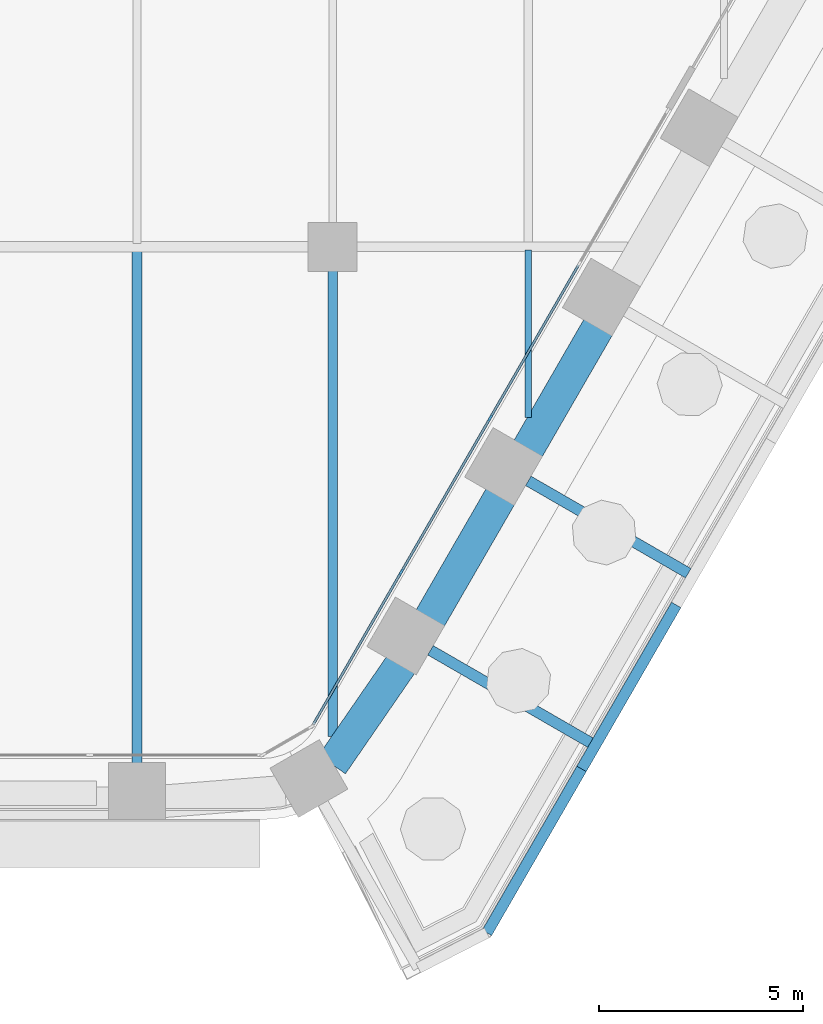
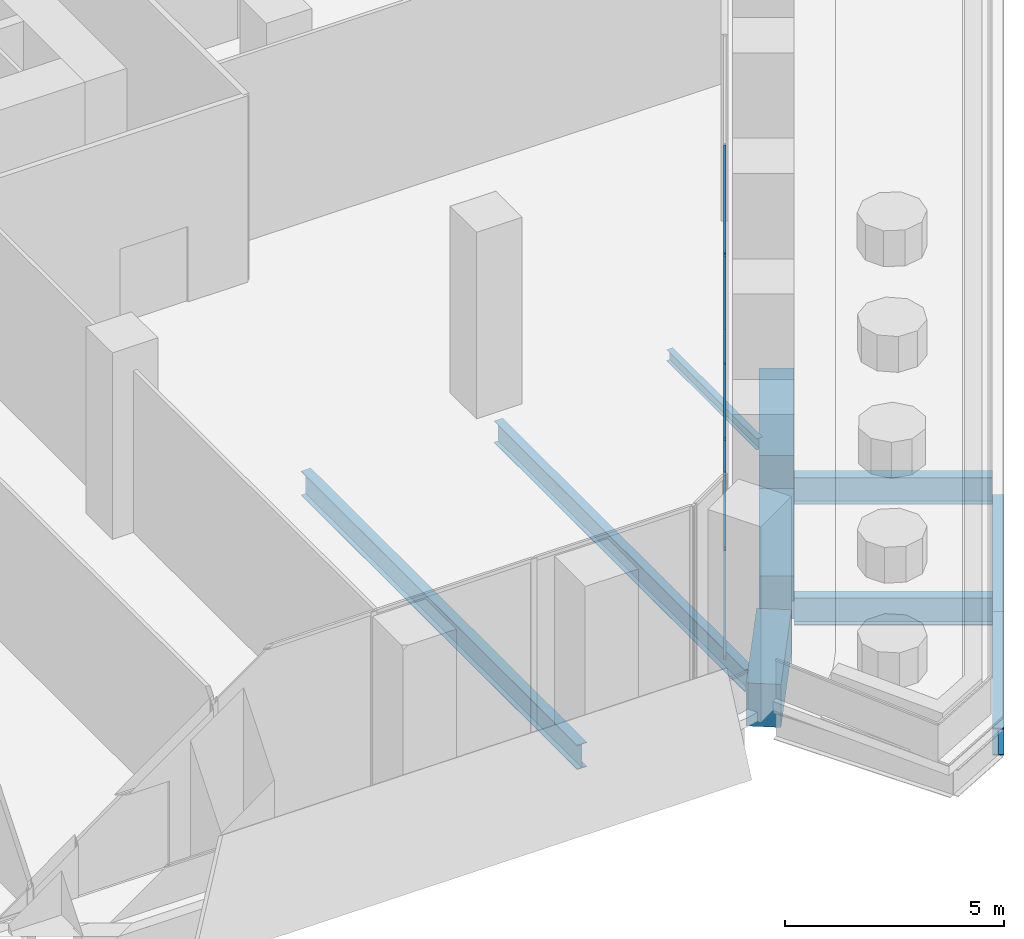
# One storey, part 5 of 32: 10 beams, 8 members, 1 element without a shape of its own.
"""IFC4 building model written with IfcOpenShell, lengths in metres."""

from ifc_helpers import new_model, si_unit, direction, frame, origin, origin_2d, place, context, subcontext, project, spatial, rectangle, i_section, extrude, material, material_profile, profile_set, type_object, element, aggregate, save


model = new_model("IFC4")

# Units and contexts
model_context = context("Model", 3, precision=1e-05, world=origin(), true_north=direction((0.0, 1.0)))
body_context = subcontext(model_context, "Body", "Model", "MODEL_VIEW")
ifc_project = project(units=[si_unit("LENGTHUNIT", "METRE"), si_unit("AREAUNIT", "SQUARE_METRE"), si_unit("VOLUMEUNIT", "CUBIC_METRE"), si_unit("PLANEANGLEUNIT", "RADIAN"), si_unit("MASSUNIT", "GRAM", prefix="KILO")], contexts=[model_context])

# Site, building, storey
site_placement = place(None, origin())
site = spatial("IfcSite", under=ifc_project, at=site_placement, CompositionType="ELEMENT")
building_placement = place(site_placement, origin())
building = spatial("IfcBuilding", under=site, at=building_placement, Name="Kolab Exchange Tower", CompositionType="ELEMENT")
storey_placement = place(building_placement, frame((0.0, 0.0, 60.89990234375)))
storey = spatial("IfcBuildingStorey", under=building, at=storey_placement, Name="L11", CompositionType="ELEMENT", Elevation=60.89990234375)

# Beams
ifc_material_1 = material(Name="Steel S355", Category="steel")
ifc_material_profile_1 = material_profile(ifc_material_1, i_section(OverallWidth=0.1650390625, OverallDepth=0.31005859375, WebThickness=0.005859375, FlangeThickness=0.009765625, at=origin_2d()), Name="W310X39")
ifc_profile_set_1 = profile_set([ifc_material_profile_1], Name="Steel S355")
beam_type_1 = type_object("IfcBeamType", Name="FLOOR BEAM W310X39", PredefinedType="BEAM", material=ifc_profile_set_1)
beam_1_placement = place(storey_placement, frame((24.0, -23.381591796875, -0.40478515625), z_axis=(0.0, 1.0, 0.0), x_axis=(-1.0, 0.0, 0.0)))
element("IfcBeam", 1, at=beam_1_placement, inside=storey, type_object=beam_type_1, Name="beam/L11/fr/052", PredefinedType="BEAM", context=body_context, shape_type="SweptSolid", body=[
    extrude(i_section(OverallWidth=0.1650390625, OverallDepth=0.31005859375, WebThickness=0.005859375, FlangeThickness=0.009765625, at=origin_2d()), origin(), (0.0, 0.0, 1.0), 4.107666015625),
])
ifc_material_profile_2 = material_profile(ifc_material_1, i_section(OverallWidth=0.22802734375, OverallDepth=0.60791015625, WebThickness=0.01123046875, FlangeThickness=0.017333984375, at=origin_2d()), Name="W610X113")
ifc_profile_set_2 = profile_set([ifc_material_profile_2], Name="Steel S355")
beam_type_2 = type_object("IfcBeamType", Name="FLOOR BEAM W610X113", PredefinedType="BEAM", material=ifc_profile_set_2)
beam_2_placement = place(storey_placement, frame((19.199951171875, -31.214599609375, -0.553955078125), z_axis=(0.0, 1.0, 0.0), x_axis=(-1.0, 0.0, 0.0)))
element("IfcBeam", 2, at=beam_2_placement, inside=storey, type_object=beam_type_2, Name="beam/L11/fr/046", PredefinedType="BEAM", context=body_context, shape_type="SweptSolid", body=[
    extrude(i_section(OverallWidth=0.22802734375, OverallDepth=0.60791015625, WebThickness=0.01123046875, FlangeThickness=0.017333984375, at=origin_2d()), origin(), (0.0, 0.0, 1.0), 11.45458984375),
])
ifc_material_profile_3 = material_profile(ifc_material_1, i_section(OverallWidth=0.25390625, OverallDepth=0.68408203125, WebThickness=0.012451171875, FlangeThickness=0.018798828125, at=origin_2d()), Name="W690X140")
ifc_profile_set_3 = profile_set([ifc_material_profile_3], Name="Steel S355")
beam_type_3 = type_object("IfcBeamType", Name="FLOOR BEAM W690X140", PredefinedType="BEAM", material=ifc_profile_set_3)
beam_3_placement = place(storey_placement, frame((14.39990234375, -31.8955078125, -0.591796875), z_axis=(0.0, 1.0, 0.0), x_axis=(-1.0, 0.0, 0.0)))
element("IfcBeam", 3, at=beam_3_placement, inside=storey, type_object=beam_type_3, Name="beam/L11/fr/042", PredefinedType="BEAM", context=body_context, shape_type="SweptSolid", body=[
    extrude(i_section(OverallWidth=0.25390625, OverallDepth=0.68408203125, WebThickness=0.012451171875, FlangeThickness=0.018798828125, at=origin_2d()), origin(), (0.0, 0.0, 1.0), 12.6083984375),
])
ifc_material_profile_4 = material_profile(ifc_material_1, i_section(OverallWidth=0.26708984375, OverallDepth=0.761962890625, WebThickness=0.014404296875, FlangeThickness=0.021484375, at=origin_2d()), Name="W760X173")
ifc_profile_set_4 = profile_set([ifc_material_profile_4], Name="Steel S355")
beam_type_4 = type_object("IfcBeamType", Name="FLOOR GIRDER W760X173", PredefinedType="BEAM", material=ifc_profile_set_4)
beam_4_placement = place(storey_placement, frame((24.0, -24.94140625, -0.69091796875), z_axis=(0.866020560687, -0.500008388397, 0.0), x_axis=(0.500008388397, 0.866020560687, 0.0)))
element("IfcBeam", 4, at=beam_4_placement, inside=storey, type_object=beam_type_4, Name="beam/L11/ledge/rib-14", PredefinedType="BEAM", context=body_context, shape_type="SweptSolid", body=[
    extrude(i_section(OverallWidth=0.26708984375, OverallDepth=0.761962890625, WebThickness=0.014404296875, FlangeThickness=0.021484375, at=origin_2d()), origin(), (0.0, 0.0, 1.0), 4.533203125),
])
beam_5_placement = place(storey_placement, frame((21.60009765625, -29.098388671875, -0.69091796875), z_axis=(0.866007095043, -0.500031710329, 0.0), x_axis=(0.500031710329, 0.866007095043, 0.0)))
element("IfcBeam", 5, at=beam_5_placement, inside=storey, type_object=beam_type_4, Name="beam/L11/ledge/rib-15", PredefinedType="BEAM", context=body_context, shape_type="SweptSolid", body=[
    extrude(i_section(OverallWidth=0.26708984375, OverallDepth=0.761962890625, WebThickness=0.014404296875, FlangeThickness=0.021484375, at=origin_2d()), origin(), (0.0, 0.0, 1.0), 4.532958984375),
])
beam_6_placement = place(storey_placement, frame((27.630615234375, -27.986083984375, -0.69091796875), z_axis=(-0.499999984806, -0.866025412557, 0.0), x_axis=(0.866025412557, -0.499999984806, 0.0)))
element("IfcBeam", 6, at=beam_6_placement, inside=storey, type_object=beam_type_4, Name="beam/L11/ledge/edge-17", PredefinedType="BEAM", context=body_context, shape_type="SweptSolid", body=[
    extrude(i_section(OverallWidth=0.26708984375, OverallDepth=0.761962890625, WebThickness=0.014404296875, FlangeThickness=0.021484375, at=origin_2d()), origin(), (0.0, 0.0, 1.0), 4.64501953125),
])
beam_7_placement = place(storey_placement, frame((25.30810546875, -32.0087890625, -0.69091796875), z_axis=(-0.499993887256, -0.86602893295, 0.0), x_axis=(0.86602893295, -0.499993887256, 0.0)))
element("IfcBeam", 7, at=beam_7_placement, inside=storey, type_object=beam_type_4, Name="beam/L11/ledge/edge-18", PredefinedType="BEAM", context=body_context, shape_type="SweptSolid", body=[
    extrude(i_section(OverallWidth=0.26708984375, OverallDepth=0.761962890625, WebThickness=0.014404296875, FlangeThickness=0.021484375, at=origin_2d()), origin(), (0.0, 0.0, 1.0), 4.6455078125),
])
ifc_material_2 = material(Name="Concrete C80/95", Category="concrete")
ifc_material_profile_5 = material_profile(ifc_material_2, rectangle(XDim=0.800048828125, YDim=1.199951171875, at=origin_2d()), Name="RC800X1200")
ifc_profile_set_5 = profile_set([ifc_material_profile_5], Name="Concrete C80/95")
beam_type_5 = type_object("IfcBeamType", Name="SPANDREL BEAM 800X1200 C80/95", PredefinedType="BEAM", material=ifc_profile_set_5)
beam_8_placement = place(storey_placement, frame((25.7236328125, -21.15625, -0.849853515625), z_axis=(-0.500009906705, -0.86601968407, 0.0), x_axis=(0.86601968407, -0.500009906705, 0.0)))
element("IfcBeam", 8, at=beam_8_placement, inside=storey, type_object=beam_type_5, Name="beam/L11/sp/F3-06", PredefinedType="BEAM", context=body_context, shape_type="SweptSolid", body=[
    extrude(rectangle(XDim=0.800048828125, YDim=1.199951171875, at=origin_2d()), origin(), (0.0, 0.0, 1.0), 3.47998046875),
])
beam_9_placement = place(storey_placement, frame((23.323486328125, -25.31298828125, -0.849853515625), z_axis=(-0.499979528911, -0.866037222451, 0.0), x_axis=(0.866037222451, -0.499979528911, 0.0)))
element("IfcBeam", 9, at=beam_9_placement, inside=storey, type_object=beam_type_5, Name="beam/L11/sp/F3-07", PredefinedType="BEAM", context=body_context, shape_type="SweptSolid", body=[
    extrude(rectangle(XDim=0.800048828125, YDim=1.199951171875, at=origin_2d()), origin(), (0.0, 0.0, 1.0), 3.480224609375),
])
beam_10_placement = place(storey_placement, frame((20.8779296875, -29.44384765625, -0.849853515625), z_axis=(-0.567247290755, -0.823547516013, 0.0), x_axis=(0.823547516013, -0.567247290755, 0.0)))
element("IfcBeam", 10, at=beam_10_placement, inside=storey, type_object=beam_type_5, Name="beam/L11/sp/F3-08", PredefinedType="BEAM", context=body_context, shape_type="SweptSolid", body=[
    extrude(rectangle(XDim=0.800048828125, YDim=1.199951171875, at=origin_2d()), origin(), (0.0, 0.0, 1.0), 2.984375),
])

# Curtain wall, members
ifc_material_3 = material(Name="Aluminium EN AW-6063 T6", Category="aluminium")
curtain_wall_type = type_object("IfcCurtainWallType", Name="UNITISED LOW ZONE CURTAIN WALL", PredefinedType="NOTDEFINED", material=ifc_material_3)
curtain_wall_placement = place(storey_placement, origin())
curtain_wall = element("IfcCurtainWall", 11, at=curtain_wall_placement, inside=storey, type_object=curtain_wall_type, Name="cw/L11/F3-2", PredefinedType="NOTDEFINED")
ifc_material_profile_6 = material_profile(ifc_material_3, rectangle(XDim=0.06005859375, YDim=0.159912109375, at=origin_2d()), Name="RECT 60X160")
ifc_profile_set_6 = profile_set([ifc_material_profile_6], Name="Aluminium EN AW-6063 T6")
member_type_1 = type_object("IfcMemberType", Name="UNITISED LOW ZONE MULLION 60 X 160", PredefinedType="MULLION", material=ifc_profile_set_6)
member_1_placement = place(storey_placement, frame((23.064697265625, -23.401611328125, 0.0), z_axis=(0.0, 0.0, 1.0), x_axis=(0.866025397318, -0.5000000112, 0.0)))
member_1 = element("IfcMember", 12, at=member_1_placement, type_object=member_type_1, Name="CW1 mullion 3", PredefinedType="MULLION", context=body_context, shape_type="SweptSolid", body=[
    extrude(rectangle(XDim=0.06005859375, YDim=0.159912109375, at=origin_2d()), origin(), (0.0, 0.0, 1.0), 5.2001953125),
])
member_2_placement = place(storey_placement, frame((20.881103515625, -27.183349609375, 0.0), z_axis=(0.0, 0.0, 1.0), x_axis=(0.866025397318, -0.5000000112, 0.0)))
member_2 = element("IfcMember", 13, at=member_2_placement, type_object=member_type_1, Name="CW1 mullion 4", PredefinedType="MULLION", context=body_context, shape_type="SweptSolid", body=[
    extrude(rectangle(XDim=0.06005859375, YDim=0.159912109375, at=origin_2d()), origin(), (0.0, 0.0, 1.0), 5.2001953125),
])
ifc_material_profile_7 = material_profile(ifc_material_3, rectangle(XDim=0.06005859375, YDim=0.10009765625, at=origin_2d()), Name="RECT 60X100")
ifc_profile_set_7 = profile_set([ifc_material_profile_7], Name="Aluminium EN AW-6063 T6")
member_type_2 = type_object("IfcMemberType", Name="UNITISED LOW ZONE TRANSOM 60 X 100", PredefinedType="USERDEFINED", material=ifc_profile_set_7)
member_3_placement = place(storey_placement, frame((25.233154296875, -19.6455078125, 0.030029296875), z_axis=(-0.500010313095, -0.866019449435, 0.0), x_axis=(0.866019449435, -0.500010313095, 0.0)))
member_3 = element("IfcMember", 14, at=member_3_placement, type_object=member_type_2, Name="CW1 transom 2.1", ObjectType="TRANSOM", PredefinedType="USERDEFINED", context=body_context, shape_type="SweptSolid", body=[
    extrude(rectangle(XDim=0.06005859375, YDim=0.10009765625, at=origin_2d()), origin(), (0.0, 0.0, 1.0), 4.30712890625),
])
member_4_placement = place(storey_placement, frame((25.233154296875, -19.6455078125, 5.170166015625), z_axis=(-0.500010313095, -0.866019449435, 0.0), x_axis=(0.866019449435, -0.500010313095, 0.0)))
member_4 = element("IfcMember", 15, at=member_4_placement, type_object=member_type_2, Name="CW1 transom 2.2", ObjectType="TRANSOM", PredefinedType="USERDEFINED", context=body_context, shape_type="SweptSolid", body=[
    extrude(rectangle(XDim=0.06005859375, YDim=0.10009765625, at=origin_2d()), origin(), (0.0, 0.0, 1.0), 4.30712890625),
])
member_5_placement = place(storey_placement, frame((23.0498046875, -23.427490234375, 0.030029296875), z_axis=(-0.500010313095, -0.866019449435, 0.0), x_axis=(0.866019449435, -0.500010313095, 0.0)))
member_5 = element("IfcMember", 16, at=member_5_placement, type_object=member_type_2, Name="CW1 transom 3.1", ObjectType="TRANSOM", PredefinedType="USERDEFINED", context=body_context, shape_type="SweptSolid", body=[
    extrude(rectangle(XDim=0.06005859375, YDim=0.10009765625, at=origin_2d()), origin(), (0.0, 0.0, 1.0), 4.30712890625),
])
member_6_placement = place(storey_placement, frame((23.0498046875, -23.427490234375, 5.170166015625), z_axis=(-0.500010313095, -0.866019449435, 0.0), x_axis=(0.866019449435, -0.500010313095, 0.0)))
member_6 = element("IfcMember", 17, at=member_6_placement, type_object=member_type_2, Name="CW1 transom 3.2", ObjectType="TRANSOM", PredefinedType="USERDEFINED", context=body_context, shape_type="SweptSolid", body=[
    extrude(rectangle(XDim=0.06005859375, YDim=0.10009765625, at=origin_2d()), origin(), (0.0, 0.0, 1.0), 4.30712890625),
])
member_7_placement = place(storey_placement, frame((20.8662109375, -27.20947265625, 0.030029296875), z_axis=(-0.500000816281, -0.866024932504, 0.0), x_axis=(0.866024932504, -0.500000816281, 0.0)))
member_7 = element("IfcMember", 18, at=member_7_placement, type_object=member_type_2, Name="CW1 transom 4.1", ObjectType="TRANSOM", PredefinedType="USERDEFINED", context=body_context, shape_type="SweptSolid", body=[
    extrude(rectangle(XDim=0.06005859375, YDim=0.10009765625, at=origin_2d()), origin(), (0.0, 0.0, 1.0), 4.27685546875),
])
member_8_placement = place(storey_placement, frame((20.8662109375, -27.20947265625, 5.170166015625), z_axis=(-0.500000816281, -0.866024932504, 0.0), x_axis=(0.866024932504, -0.500000816281, 0.0)))
member_8 = element("IfcMember", 19, at=member_8_placement, type_object=member_type_2, Name="CW1 transom 4.2", ObjectType="TRANSOM", PredefinedType="USERDEFINED", context=body_context, shape_type="SweptSolid", body=[
    extrude(rectangle(XDim=0.06005859375, YDim=0.10009765625, at=origin_2d()), origin(), (0.0, 0.0, 1.0), 4.27685546875),
])
aggregate(curtain_wall, [member_1, member_2, member_3, member_4, member_5, member_6, member_7, member_8])

save(model, "model.ifc")
